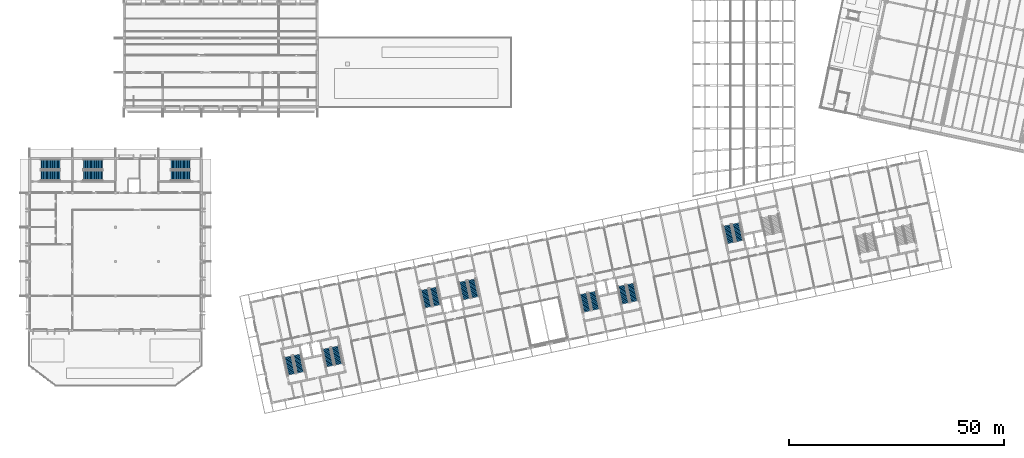
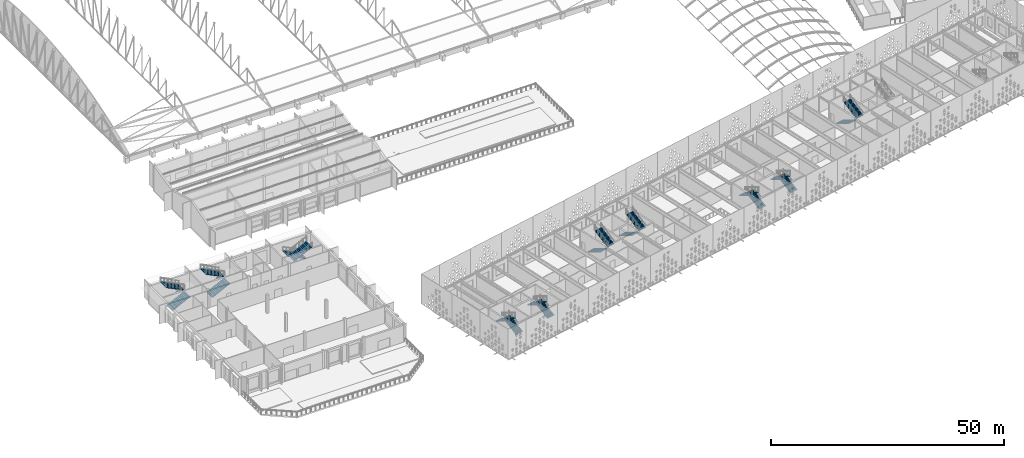
# One storey, part 131 of 196: 20 stair flights, 10 elements without a shape of their own.
"""IFC4 building model written with IfcOpenShell, lengths in metres."""

from ifc_helpers import new_model, si_unit, direction, frame, origin, place, context, subcontext, project, spatial, polyline, outline, extrude, material, type_object, element, aggregate, save


model = new_model("IFC4")

# Units and contexts
model_context = context("Model", 3, precision=1e-05, world=origin(), true_north=direction((0.0, 1.0)))
body_context = subcontext(model_context, "Body", "Model", "MODEL_VIEW")
ifc_project = project(units=[si_unit("LENGTHUNIT", "METRE"), si_unit("AREAUNIT", "SQUARE_METRE"), si_unit("VOLUMEUNIT", "CUBIC_METRE"), si_unit("PLANEANGLEUNIT", "RADIAN"), si_unit("MASSUNIT", "GRAM", prefix="KILO")], contexts=[model_context])

# Site, building, storey
site_placement = place(None, origin())
site = spatial("IfcSite", under=ifc_project, at=site_placement, CompositionType="ELEMENT")
building_placement = place(site_placement, origin())
building = spatial("IfcBuilding", under=site, at=building_placement, Name="Okhra Congress Centre", CompositionType="ELEMENT")
storey_placement = place(building_placement, frame((0.0, 0.0, 12.0)))
storey = spatial("IfcBuildingStorey", under=building, at=storey_placement, Name="L02", CompositionType="ELEMENT", Elevation=12.0)

# Stair, stair flights
ifc_material = material(Name="Concrete C30/37", Category="concrete")
stair_type_1 = type_object("IfcStairType", Name="Escape stair 1900 wide, 30 risers of 160.0", PredefinedType="HALF_TURN_STAIR", material=ifc_material)
stair_1_placement = place(storey_placement, origin())
stair_1 = element("IfcStair", 1, at=stair_1_placement, inside=storey, type_object=stair_type_1, Name="L02 Escape stair 1A", PredefinedType="HALF_TURN_STAIR")
stair_flight_type_1 = type_object("IfcStairFlightType", Name="Stair flight 1900 wide", PredefinedType="STRAIGHT", material=ifc_material)
stair_flight_1_placement = place(storey_placement, frame((69.095458984375, 34.227294921875, 0.0), z_axis=(0.0, 0.0, 1.0), x_axis=(-0.207911690818, 0.978147600734, 0.0)))
stair_flight_1 = element("IfcStairFlight", 2, at=stair_flight_1_placement, type_object=stair_flight_type_1, Name="BS1A flight 1", NumberOfRisers=15, NumberOfTreads=14, PredefinedType="STRAIGHT", RiserHeight=0.16, TreadLength=0.3, context=body_context, shape_type="SweptSolid", body=[
    extrude(outline(polyline([(0.0, 0.0), (0.0, 0.159912109375), (0.300048828125, 0.159912109375), (0.300048828125, 0.320068359375), (0.60009765625, 0.320068359375), (0.60009765625, 0.47998046875), (0.89990234375, 0.47998046875), (0.89990234375, 0.639892578125), (1.199951171875, 0.639892578125), (1.199951171875, 0.800048828125), (1.5, 0.800048828125), (1.5, 0.9599609375), (1.800048828125, 0.9599609375), (1.800048828125, 1.1201171875), (2.10009765625, 1.1201171875), (2.10009765625, 1.280029296875), (2.39990234375, 1.280029296875), (2.39990234375, 1.43994140625), (2.699951171875, 1.43994140625), (2.699951171875, 1.60009765625), (3.0, 1.60009765625), (3.0, 1.760009765625), (3.300048828125, 1.760009765625), (3.300048828125, 1.919921875), (3.60009765625, 1.919921875), (3.60009765625, 2.080078125), (3.89990234375, 2.080078125), (3.89990234375, 2.239990234375), (4.199951171875, 2.239990234375), (4.199951171875, 2.39990234375), (4.199951171875, 2.103759765625), (0.25537109375, 0.0), (0.0, 0.0)])), frame((0.0, 0.949951171875, 0.0), z_axis=(0.0, -1.0, 0.0), x_axis=(1.0, 0.0, 0.0)), (0.0, 0.0, 1.0), 1.89990234375),
])
stair_flight_2_placement = place(storey_placement, frame((66.16796875, 37.898681640625, 2.39990234375), z_axis=(0.0, 0.0, 1.0), x_axis=(0.207911690818, -0.978147600734, 0.0)))
stair_flight_2 = element("IfcStairFlight", 3, at=stair_flight_2_placement, type_object=stair_flight_type_1, Name="BS1A flight 2", NumberOfRisers=15, NumberOfTreads=14, PredefinedType="STRAIGHT", RiserHeight=0.16, TreadLength=0.3, context=body_context, shape_type="SweptSolid", body=[
    extrude(outline(polyline([(0.0, 0.0), (0.0, 0.159912109375), (0.300048828125, 0.159912109375), (0.300048828125, 0.320068359375), (0.60009765625, 0.320068359375), (0.60009765625, 0.47998046875), (0.89990234375, 0.47998046875), (0.89990234375, 0.639892578125), (1.199951171875, 0.639892578125), (1.199951171875, 0.800048828125), (1.5, 0.800048828125), (1.5, 0.9599609375), (1.800048828125, 0.9599609375), (1.800048828125, 1.1201171875), (2.10009765625, 1.1201171875), (2.10009765625, 1.280029296875), (2.39990234375, 1.280029296875), (2.39990234375, 1.43994140625), (2.699951171875, 1.43994140625), (2.699951171875, 1.60009765625), (3.0, 1.60009765625), (3.0, 1.760009765625), (3.300048828125, 1.760009765625), (3.300048828125, 1.919921875), (3.60009765625, 1.919921875), (3.60009765625, 2.080078125), (3.89990234375, 2.080078125), (3.89990234375, 2.239990234375), (4.199951171875, 2.239990234375), (4.199951171875, 2.39990234375), (4.199951171875, 2.103759765625), (0.25537109375, 0.0), (0.0, 0.0)])), frame((0.0, 0.949951171875, 0.0), z_axis=(0.0, -1.0, 0.0), x_axis=(1.0, 0.0, 0.0)), (0.0, 0.0, 1.0), 1.89990234375),
])
aggregate(stair_1, [stair_flight_1, stair_flight_2])

stair_2_placement = place(storey_placement, origin())
stair_2 = element("IfcStair", 4, at=stair_2_placement, inside=storey, type_object=stair_type_1, Name="L02 Escape stair 1B", PredefinedType="HALF_TURN_STAIR")
stair_flight_3_placement = place(storey_placement, frame((77.99658203125, 36.119140625, 0.0), z_axis=(0.0, 0.0, 1.0), x_axis=(-0.207911690818, 0.978147600734, 0.0)))
stair_flight_3 = element("IfcStairFlight", 5, at=stair_flight_3_placement, type_object=stair_flight_type_1, Name="BS1B flight 1", NumberOfRisers=15, NumberOfTreads=14, PredefinedType="STRAIGHT", RiserHeight=0.16, TreadLength=0.3, context=body_context, shape_type="SweptSolid", body=[
    extrude(outline(polyline([(0.0, 0.0), (0.0, 0.159912109375), (0.300048828125, 0.159912109375), (0.300048828125, 0.320068359375), (0.60009765625, 0.320068359375), (0.60009765625, 0.47998046875), (0.89990234375, 0.47998046875), (0.89990234375, 0.639892578125), (1.199951171875, 0.639892578125), (1.199951171875, 0.800048828125), (1.5, 0.800048828125), (1.5, 0.9599609375), (1.800048828125, 0.9599609375), (1.800048828125, 1.1201171875), (2.10009765625, 1.1201171875), (2.10009765625, 1.280029296875), (2.39990234375, 1.280029296875), (2.39990234375, 1.43994140625), (2.699951171875, 1.43994140625), (2.699951171875, 1.60009765625), (3.0, 1.60009765625), (3.0, 1.760009765625), (3.300048828125, 1.760009765625), (3.300048828125, 1.919921875), (3.60009765625, 1.919921875), (3.60009765625, 2.080078125), (3.89990234375, 2.080078125), (3.89990234375, 2.239990234375), (4.199951171875, 2.239990234375), (4.199951171875, 2.39990234375), (4.199951171875, 2.103759765625), (0.25537109375, 0.0), (0.0, 0.0)])), frame((0.0, 0.949951171875, 0.0), z_axis=(0.0, -1.0, 0.0), x_axis=(1.0, 0.0, 0.0)), (0.0, 0.0, 1.0), 1.89990234375),
])
stair_flight_4_placement = place(storey_placement, frame((75.069091796875, 39.790771484375, 2.39990234375), z_axis=(0.0, 0.0, 1.0), x_axis=(0.207911690818, -0.978147600734, 0.0)))
stair_flight_4 = element("IfcStairFlight", 6, at=stair_flight_4_placement, type_object=stair_flight_type_1, Name="BS1B flight 2", NumberOfRisers=15, NumberOfTreads=14, PredefinedType="STRAIGHT", RiserHeight=0.16, TreadLength=0.3, context=body_context, shape_type="SweptSolid", body=[
    extrude(outline(polyline([(0.0, 0.0), (0.0, 0.159912109375), (0.300048828125, 0.159912109375), (0.300048828125, 0.320068359375), (0.60009765625, 0.320068359375), (0.60009765625, 0.47998046875), (0.89990234375, 0.47998046875), (0.89990234375, 0.639892578125), (1.199951171875, 0.639892578125), (1.199951171875, 0.800048828125), (1.5, 0.800048828125), (1.5, 0.9599609375), (1.800048828125, 0.9599609375), (1.800048828125, 1.1201171875), (2.10009765625, 1.1201171875), (2.10009765625, 1.280029296875), (2.39990234375, 1.280029296875), (2.39990234375, 1.43994140625), (2.699951171875, 1.43994140625), (2.699951171875, 1.60009765625), (3.0, 1.60009765625), (3.0, 1.760009765625), (3.300048828125, 1.760009765625), (3.300048828125, 1.919921875), (3.60009765625, 1.919921875), (3.60009765625, 2.080078125), (3.89990234375, 2.080078125), (3.89990234375, 2.239990234375), (4.199951171875, 2.239990234375), (4.199951171875, 2.39990234375), (4.199951171875, 2.103759765625), (0.25537109375, 0.0), (0.0, 0.0)])), frame((0.0, 0.949951171875, 0.0), z_axis=(0.0, -1.0, 0.0), x_axis=(1.0, 0.0, 0.0)), (0.0, 0.0, 1.0), 1.89990234375),
])
aggregate(stair_2, [stair_flight_3, stair_flight_4])

stair_3_placement = place(storey_placement, origin())
stair_3 = element("IfcStair", 7, at=stair_3_placement, inside=storey, type_object=stair_type_1, Name="L02 Escape stair 2A", PredefinedType="HALF_TURN_STAIR")
stair_flight_5_placement = place(storey_placement, frame((97.920166015625, 53.4912109375, 0.0), z_axis=(0.0, 0.0, 1.0), x_axis=(0.207911690818, -0.978147600734, 0.0)))
stair_flight_5 = element("IfcStairFlight", 8, at=stair_flight_5_placement, type_object=stair_flight_type_1, Name="BS2A flight 1", NumberOfRisers=15, NumberOfTreads=14, PredefinedType="STRAIGHT", RiserHeight=0.16, TreadLength=0.3, context=body_context, shape_type="SweptSolid", body=[
    extrude(outline(polyline([(0.0, 0.0), (0.0, 0.159912109375), (0.300048828125, 0.159912109375), (0.300048828125, 0.320068359375), (0.60009765625, 0.320068359375), (0.60009765625, 0.47998046875), (0.89990234375, 0.47998046875), (0.89990234375, 0.639892578125), (1.199951171875, 0.639892578125), (1.199951171875, 0.800048828125), (1.5, 0.800048828125), (1.5, 0.9599609375), (1.800048828125, 0.9599609375), (1.800048828125, 1.1201171875), (2.10009765625, 1.1201171875), (2.10009765625, 1.280029296875), (2.39990234375, 1.280029296875), (2.39990234375, 1.43994140625), (2.699951171875, 1.43994140625), (2.699951171875, 1.60009765625), (3.0, 1.60009765625), (3.0, 1.760009765625), (3.300048828125, 1.760009765625), (3.300048828125, 1.919921875), (3.60009765625, 1.919921875), (3.60009765625, 2.080078125), (3.89990234375, 2.080078125), (3.89990234375, 2.239990234375), (4.199951171875, 2.239990234375), (4.199951171875, 2.39990234375), (4.199951171875, 2.103759765625), (0.25537109375, 0.0), (0.0, 0.0)])), frame((0.0, 0.949951171875, 0.0), z_axis=(0.0, -1.0, 0.0), x_axis=(1.0, 0.0, 0.0)), (0.0, 0.0, 1.0), 1.89990234375),
])
stair_flight_6_placement = place(storey_placement, frame((100.847412109375, 49.819580078125, 2.39990234375), z_axis=(0.0, 0.0, 1.0), x_axis=(-0.207911690818, 0.978147600734, 0.0)))
stair_flight_6 = element("IfcStairFlight", 9, at=stair_flight_6_placement, type_object=stair_flight_type_1, Name="BS2A flight 2", NumberOfRisers=15, NumberOfTreads=14, PredefinedType="STRAIGHT", RiserHeight=0.16, TreadLength=0.3, context=body_context, shape_type="SweptSolid", body=[
    extrude(outline(polyline([(0.0, 0.0), (0.0, 0.159912109375), (0.300048828125, 0.159912109375), (0.300048828125, 0.320068359375), (0.60009765625, 0.320068359375), (0.60009765625, 0.47998046875), (0.89990234375, 0.47998046875), (0.89990234375, 0.639892578125), (1.199951171875, 0.639892578125), (1.199951171875, 0.800048828125), (1.5, 0.800048828125), (1.5, 0.9599609375), (1.800048828125, 0.9599609375), (1.800048828125, 1.1201171875), (2.10009765625, 1.1201171875), (2.10009765625, 1.280029296875), (2.39990234375, 1.280029296875), (2.39990234375, 1.43994140625), (2.699951171875, 1.43994140625), (2.699951171875, 1.60009765625), (3.0, 1.60009765625), (3.0, 1.760009765625), (3.300048828125, 1.760009765625), (3.300048828125, 1.919921875), (3.60009765625, 1.919921875), (3.60009765625, 2.080078125), (3.89990234375, 2.080078125), (3.89990234375, 2.239990234375), (4.199951171875, 2.239990234375), (4.199951171875, 2.39990234375), (4.199951171875, 2.103759765625), (0.25537109375, 0.0), (0.0, 0.0)])), frame((0.0, 0.949951171875, 0.0), z_axis=(0.0, -1.0, 0.0), x_axis=(1.0, 0.0, 0.0)), (0.0, 0.0, 1.0), 1.89990234375),
])
aggregate(stair_3, [stair_flight_5, stair_flight_6])

stair_4_placement = place(storey_placement, origin())
stair_4 = element("IfcStair", 10, at=stair_4_placement, inside=storey, type_object=stair_type_1, Name="L02 Escape stair 2B", PredefinedType="HALF_TURN_STAIR")
stair_flight_7_placement = place(storey_placement, frame((106.8212890625, 55.383056640625, 0.0), z_axis=(0.0, 0.0, 1.0), x_axis=(0.207911690818, -0.978147600734, 0.0)))
stair_flight_7 = element("IfcStairFlight", 11, at=stair_flight_7_placement, type_object=stair_flight_type_1, Name="BS2B flight 1", NumberOfRisers=15, NumberOfTreads=14, PredefinedType="STRAIGHT", RiserHeight=0.16, TreadLength=0.3, context=body_context, shape_type="SweptSolid", body=[
    extrude(outline(polyline([(0.0, 0.0), (0.0, 0.159912109375), (0.300048828125, 0.159912109375), (0.300048828125, 0.320068359375), (0.60009765625, 0.320068359375), (0.60009765625, 0.47998046875), (0.89990234375, 0.47998046875), (0.89990234375, 0.639892578125), (1.199951171875, 0.639892578125), (1.199951171875, 0.800048828125), (1.5, 0.800048828125), (1.5, 0.9599609375), (1.800048828125, 0.9599609375), (1.800048828125, 1.1201171875), (2.10009765625, 1.1201171875), (2.10009765625, 1.280029296875), (2.39990234375, 1.280029296875), (2.39990234375, 1.43994140625), (2.699951171875, 1.43994140625), (2.699951171875, 1.60009765625), (3.0, 1.60009765625), (3.0, 1.760009765625), (3.300048828125, 1.760009765625), (3.300048828125, 1.919921875), (3.60009765625, 1.919921875), (3.60009765625, 2.080078125), (3.89990234375, 2.080078125), (3.89990234375, 2.239990234375), (4.199951171875, 2.239990234375), (4.199951171875, 2.39990234375), (4.199951171875, 2.103759765625), (0.25537109375, 0.0), (0.0, 0.0)])), frame((0.0, 0.949951171875, 0.0), z_axis=(0.0, -1.0, 0.0), x_axis=(1.0, 0.0, 0.0)), (0.0, 0.0, 1.0), 1.89990234375),
])
stair_flight_8_placement = place(storey_placement, frame((109.74853515625, 51.71142578125, 2.39990234375), z_axis=(0.0, 0.0, 1.0), x_axis=(-0.207911690818, 0.978147600734, 0.0)))
stair_flight_8 = element("IfcStairFlight", 12, at=stair_flight_8_placement, type_object=stair_flight_type_1, Name="BS2B flight 2", NumberOfRisers=15, NumberOfTreads=14, PredefinedType="STRAIGHT", RiserHeight=0.16, TreadLength=0.3, context=body_context, shape_type="SweptSolid", body=[
    extrude(outline(polyline([(0.0, 0.0), (0.0, 0.159912109375), (0.300048828125, 0.159912109375), (0.300048828125, 0.320068359375), (0.60009765625, 0.320068359375), (0.60009765625, 0.47998046875), (0.89990234375, 0.47998046875), (0.89990234375, 0.639892578125), (1.199951171875, 0.639892578125), (1.199951171875, 0.800048828125), (1.5, 0.800048828125), (1.5, 0.9599609375), (1.800048828125, 0.9599609375), (1.800048828125, 1.1201171875), (2.10009765625, 1.1201171875), (2.10009765625, 1.280029296875), (2.39990234375, 1.280029296875), (2.39990234375, 1.43994140625), (2.699951171875, 1.43994140625), (2.699951171875, 1.60009765625), (3.0, 1.60009765625), (3.0, 1.760009765625), (3.300048828125, 1.760009765625), (3.300048828125, 1.919921875), (3.60009765625, 1.919921875), (3.60009765625, 2.080078125), (3.89990234375, 2.080078125), (3.89990234375, 2.239990234375), (4.199951171875, 2.239990234375), (4.199951171875, 2.39990234375), (4.199951171875, 2.103759765625), (0.25537109375, 0.0), (0.0, 0.0)])), frame((0.0, 0.949951171875, 0.0), z_axis=(0.0, -1.0, 0.0), x_axis=(1.0, 0.0, 0.0)), (0.0, 0.0, 1.0), 1.89990234375),
])
aggregate(stair_4, [stair_flight_7, stair_flight_8])

stair_5_placement = place(storey_placement, origin())
stair_5 = element("IfcStair", 13, at=stair_5_placement, inside=storey, type_object=stair_type_1, Name="L02 Escape stair 3A", PredefinedType="HALF_TURN_STAIR")
stair_flight_9_placement = place(storey_placement, frame((137.859130859375, 48.84326171875, 0.0), z_axis=(0.0, 0.0, 1.0), x_axis=(-0.207911690818, 0.978147600734, 0.0)))
stair_flight_9 = element("IfcStairFlight", 14, at=stair_flight_9_placement, type_object=stair_flight_type_1, Name="BS3A flight 1", NumberOfRisers=15, NumberOfTreads=14, PredefinedType="STRAIGHT", RiserHeight=0.16, TreadLength=0.3, context=body_context, shape_type="SweptSolid", body=[
    extrude(outline(polyline([(0.0, 0.0), (0.0, 0.159912109375), (0.300048828125, 0.159912109375), (0.300048828125, 0.320068359375), (0.60009765625, 0.320068359375), (0.60009765625, 0.47998046875), (0.89990234375, 0.47998046875), (0.89990234375, 0.639892578125), (1.199951171875, 0.639892578125), (1.199951171875, 0.800048828125), (1.5, 0.800048828125), (1.5, 0.9599609375), (1.800048828125, 0.9599609375), (1.800048828125, 1.1201171875), (2.10009765625, 1.1201171875), (2.10009765625, 1.280029296875), (2.39990234375, 1.280029296875), (2.39990234375, 1.43994140625), (2.699951171875, 1.43994140625), (2.699951171875, 1.60009765625), (3.0, 1.60009765625), (3.0, 1.760009765625), (3.300048828125, 1.760009765625), (3.300048828125, 1.919921875), (3.60009765625, 1.919921875), (3.60009765625, 2.080078125), (3.89990234375, 2.080078125), (3.89990234375, 2.239990234375), (4.199951171875, 2.239990234375), (4.199951171875, 2.39990234375), (4.199951171875, 2.103759765625), (0.25537109375, 0.0), (0.0, 0.0)])), frame((0.0, 0.949951171875, 0.0), z_axis=(0.0, -1.0, 0.0), x_axis=(1.0, 0.0, 0.0)), (0.0, 0.0, 1.0), 1.89990234375),
])
stair_flight_10_placement = place(storey_placement, frame((134.931884765625, 52.514892578125, 2.39990234375), z_axis=(0.0, 0.0, 1.0), x_axis=(0.207911690818, -0.978147600734, 0.0)))
stair_flight_10 = element("IfcStairFlight", 15, at=stair_flight_10_placement, type_object=stair_flight_type_1, Name="BS3A flight 2", NumberOfRisers=15, NumberOfTreads=14, PredefinedType="STRAIGHT", RiserHeight=0.16, TreadLength=0.3, context=body_context, shape_type="SweptSolid", body=[
    extrude(outline(polyline([(0.0, 0.0), (0.0, 0.159912109375), (0.300048828125, 0.159912109375), (0.300048828125, 0.320068359375), (0.60009765625, 0.320068359375), (0.60009765625, 0.47998046875), (0.89990234375, 0.47998046875), (0.89990234375, 0.639892578125), (1.199951171875, 0.639892578125), (1.199951171875, 0.800048828125), (1.5, 0.800048828125), (1.5, 0.9599609375), (1.800048828125, 0.9599609375), (1.800048828125, 1.1201171875), (2.10009765625, 1.1201171875), (2.10009765625, 1.280029296875), (2.39990234375, 1.280029296875), (2.39990234375, 1.43994140625), (2.699951171875, 1.43994140625), (2.699951171875, 1.60009765625), (3.0, 1.60009765625), (3.0, 1.760009765625), (3.300048828125, 1.760009765625), (3.300048828125, 1.919921875), (3.60009765625, 1.919921875), (3.60009765625, 2.080078125), (3.89990234375, 2.080078125), (3.89990234375, 2.239990234375), (4.199951171875, 2.239990234375), (4.199951171875, 2.39990234375), (4.199951171875, 2.103759765625), (0.25537109375, 0.0), (0.0, 0.0)])), frame((0.0, 0.949951171875, 0.0), z_axis=(0.0, -1.0, 0.0), x_axis=(1.0, 0.0, 0.0)), (0.0, 0.0, 1.0), 1.89990234375),
])
aggregate(stair_5, [stair_flight_9, stair_flight_10])

stair_6_placement = place(storey_placement, origin())
stair_6 = element("IfcStair", 16, at=stair_6_placement, inside=storey, type_object=stair_type_1, Name="L02 Escape stair 3B", PredefinedType="HALF_TURN_STAIR")
stair_flight_11_placement = place(storey_placement, frame((146.76025390625, 50.7353515625, 0.0), z_axis=(0.0, 0.0, 1.0), x_axis=(-0.207911690818, 0.978147600734, 0.0)))
stair_flight_11 = element("IfcStairFlight", 17, at=stair_flight_11_placement, type_object=stair_flight_type_1, Name="BS3B flight 1", NumberOfRisers=15, NumberOfTreads=14, PredefinedType="STRAIGHT", RiserHeight=0.16, TreadLength=0.3, context=body_context, shape_type="SweptSolid", body=[
    extrude(outline(polyline([(0.0, 0.0), (0.0, 0.159912109375), (0.300048828125, 0.159912109375), (0.300048828125, 0.320068359375), (0.60009765625, 0.320068359375), (0.60009765625, 0.47998046875), (0.89990234375, 0.47998046875), (0.89990234375, 0.639892578125), (1.199951171875, 0.639892578125), (1.199951171875, 0.800048828125), (1.5, 0.800048828125), (1.5, 0.9599609375), (1.800048828125, 0.9599609375), (1.800048828125, 1.1201171875), (2.10009765625, 1.1201171875), (2.10009765625, 1.280029296875), (2.39990234375, 1.280029296875), (2.39990234375, 1.43994140625), (2.699951171875, 1.43994140625), (2.699951171875, 1.60009765625), (3.0, 1.60009765625), (3.0, 1.760009765625), (3.300048828125, 1.760009765625), (3.300048828125, 1.919921875), (3.60009765625, 1.919921875), (3.60009765625, 2.080078125), (3.89990234375, 2.080078125), (3.89990234375, 2.239990234375), (4.199951171875, 2.239990234375), (4.199951171875, 2.39990234375), (4.199951171875, 2.103759765625), (0.25537109375, 0.0), (0.0, 0.0)])), frame((0.0, 0.949951171875, 0.0), z_axis=(0.0, -1.0, 0.0), x_axis=(1.0, 0.0, 0.0)), (0.0, 0.0, 1.0), 1.89990234375),
])
stair_flight_12_placement = place(storey_placement, frame((143.8330078125, 54.406982421875, 2.39990234375), z_axis=(0.0, 0.0, 1.0), x_axis=(0.207911690818, -0.978147600734, 0.0)))
stair_flight_12 = element("IfcStairFlight", 18, at=stair_flight_12_placement, type_object=stair_flight_type_1, Name="BS3B flight 2", NumberOfRisers=15, NumberOfTreads=14, PredefinedType="STRAIGHT", RiserHeight=0.16, TreadLength=0.3, context=body_context, shape_type="SweptSolid", body=[
    extrude(outline(polyline([(0.0, 0.0), (0.0, 0.159912109375), (0.300048828125, 0.159912109375), (0.300048828125, 0.320068359375), (0.60009765625, 0.320068359375), (0.60009765625, 0.47998046875), (0.89990234375, 0.47998046875), (0.89990234375, 0.639892578125), (1.199951171875, 0.639892578125), (1.199951171875, 0.800048828125), (1.5, 0.800048828125), (1.5, 0.9599609375), (1.800048828125, 0.9599609375), (1.800048828125, 1.1201171875), (2.10009765625, 1.1201171875), (2.10009765625, 1.280029296875), (2.39990234375, 1.280029296875), (2.39990234375, 1.43994140625), (2.699951171875, 1.43994140625), (2.699951171875, 1.60009765625), (3.0, 1.60009765625), (3.0, 1.760009765625), (3.300048828125, 1.760009765625), (3.300048828125, 1.919921875), (3.60009765625, 1.919921875), (3.60009765625, 2.080078125), (3.89990234375, 2.080078125), (3.89990234375, 2.239990234375), (4.199951171875, 2.239990234375), (4.199951171875, 2.39990234375), (4.199951171875, 2.103759765625), (0.25537109375, 0.0), (0.0, 0.0)])), frame((0.0, 0.949951171875, 0.0), z_axis=(0.0, -1.0, 0.0), x_axis=(1.0, 0.0, 0.0)), (0.0, 0.0, 1.0), 1.89990234375),
])
aggregate(stair_6, [stair_flight_11, stair_flight_12])

stair_7_placement = place(storey_placement, origin())
stair_7 = element("IfcStair", 19, at=stair_7_placement, inside=storey, type_object=stair_type_1, Name="L02 Escape stair 4A", PredefinedType="HALF_TURN_STAIR")
stair_flight_13_placement = place(storey_placement, frame((168.3466796875, 68.460693359375, 0.0), z_axis=(0.0, 0.0, 1.0), x_axis=(0.207911690818, -0.978147600734, 0.0)))
stair_flight_13 = element("IfcStairFlight", 20, at=stair_flight_13_placement, type_object=stair_flight_type_1, Name="BS4A flight 1", NumberOfRisers=15, NumberOfTreads=14, PredefinedType="STRAIGHT", RiserHeight=0.16, TreadLength=0.3, context=body_context, shape_type="SweptSolid", body=[
    extrude(outline(polyline([(0.0, 0.0), (0.0, 0.159912109375), (0.300048828125, 0.159912109375), (0.300048828125, 0.320068359375), (0.60009765625, 0.320068359375), (0.60009765625, 0.47998046875), (0.89990234375, 0.47998046875), (0.89990234375, 0.639892578125), (1.199951171875, 0.639892578125), (1.199951171875, 0.800048828125), (1.5, 0.800048828125), (1.5, 0.9599609375), (1.800048828125, 0.9599609375), (1.800048828125, 1.1201171875), (2.10009765625, 1.1201171875), (2.10009765625, 1.280029296875), (2.39990234375, 1.280029296875), (2.39990234375, 1.43994140625), (2.699951171875, 1.43994140625), (2.699951171875, 1.60009765625), (3.0, 1.60009765625), (3.0, 1.760009765625), (3.300048828125, 1.760009765625), (3.300048828125, 1.919921875), (3.60009765625, 1.919921875), (3.60009765625, 2.080078125), (3.89990234375, 2.080078125), (3.89990234375, 2.239990234375), (4.199951171875, 2.239990234375), (4.199951171875, 2.39990234375), (4.199951171875, 2.103759765625), (0.25537109375, 0.0), (0.0, 0.0)])), frame((0.0, 0.949951171875, 0.0), z_axis=(0.0, -1.0, 0.0), x_axis=(1.0, 0.0, 0.0)), (0.0, 0.0, 1.0), 1.89990234375),
])
stair_flight_14_placement = place(storey_placement, frame((171.27392578125, 64.7890625, 2.39990234375), z_axis=(0.0, 0.0, 1.0), x_axis=(-0.207911690818, 0.978147600734, 0.0)))
stair_flight_14 = element("IfcStairFlight", 21, at=stair_flight_14_placement, type_object=stair_flight_type_1, Name="BS4A flight 2", NumberOfRisers=15, NumberOfTreads=14, PredefinedType="STRAIGHT", RiserHeight=0.16, TreadLength=0.3, context=body_context, shape_type="SweptSolid", body=[
    extrude(outline(polyline([(0.0, 0.0), (0.0, 0.159912109375), (0.300048828125, 0.159912109375), (0.300048828125, 0.320068359375), (0.60009765625, 0.320068359375), (0.60009765625, 0.47998046875), (0.89990234375, 0.47998046875), (0.89990234375, 0.639892578125), (1.199951171875, 0.639892578125), (1.199951171875, 0.800048828125), (1.5, 0.800048828125), (1.5, 0.9599609375), (1.800048828125, 0.9599609375), (1.800048828125, 1.1201171875), (2.10009765625, 1.1201171875), (2.10009765625, 1.280029296875), (2.39990234375, 1.280029296875), (2.39990234375, 1.43994140625), (2.699951171875, 1.43994140625), (2.699951171875, 1.60009765625), (3.0, 1.60009765625), (3.0, 1.760009765625), (3.300048828125, 1.760009765625), (3.300048828125, 1.919921875), (3.60009765625, 1.919921875), (3.60009765625, 2.080078125), (3.89990234375, 2.080078125), (3.89990234375, 2.239990234375), (4.199951171875, 2.239990234375), (4.199951171875, 2.39990234375), (4.199951171875, 2.103759765625), (0.25537109375, 0.0), (0.0, 0.0)])), frame((0.0, 0.949951171875, 0.0), z_axis=(0.0, -1.0, 0.0), x_axis=(1.0, 0.0, 0.0)), (0.0, 0.0, 1.0), 1.89990234375),
])
aggregate(stair_7, [stair_flight_13, stair_flight_14])

stair_type_2 = type_object("IfcStairType", Name="Escape stair 2400 wide, 30 risers of 160.0", PredefinedType="HALF_TURN_STAIR", material=ifc_material)
stair_8_placement = place(storey_placement, origin())
stair_8 = element("IfcStair", 22, at=stair_8_placement, inside=storey, type_object=stair_type_2, Name="L02 Stair R1", PredefinedType="HALF_TURN_STAIR")
stair_flight_type_2 = type_object("IfcStairFlightType", Name="Stair flight 2400 wide", PredefinedType="STRAIGHT", material=ifc_material)
stair_flight_15_placement = place(storey_placement, frame((8.625, 80.02490234375, 0.0), z_axis=(0.0, 0.0, 1.0), x_axis=(1.0, 0.0, 0.0)))
stair_flight_15 = element("IfcStairFlight", 23, at=stair_flight_15_placement, type_object=stair_flight_type_2, Name="R1 flight 1", NumberOfRisers=15, NumberOfTreads=14, PredefinedType="STRAIGHT", RiserHeight=0.16, TreadLength=0.32, context=body_context, shape_type="SweptSolid", body=[
    extrude(outline(polyline([(0.0, 0.0), (0.0, 0.159912109375), (0.320068359375, 0.159912109375), (0.320068359375, 0.320068359375), (0.639892578125, 0.320068359375), (0.639892578125, 0.47998046875), (0.9599609375, 0.47998046875), (0.9599609375, 0.639892578125), (1.280029296875, 0.639892578125), (1.280029296875, 0.800048828125), (1.60009765625, 0.800048828125), (1.60009765625, 0.9599609375), (1.919921875, 0.9599609375), (1.919921875, 1.1201171875), (2.239990234375, 1.1201171875), (2.239990234375, 1.280029296875), (2.56005859375, 1.280029296875), (2.56005859375, 1.43994140625), (2.8798828125, 1.43994140625), (2.8798828125, 1.60009765625), (3.199951171875, 1.60009765625), (3.199951171875, 1.760009765625), (3.52001953125, 1.760009765625), (3.52001953125, 1.919921875), (3.840087890625, 1.919921875), (3.840087890625, 2.080078125), (4.159912109375, 2.080078125), (4.159912109375, 2.239990234375), (4.47998046875, 2.239990234375), (4.47998046875, 2.39990234375), (4.47998046875, 2.072509765625), (0.335205078125, 0.0), (0.0, 0.0)])), frame((0.0, 1.199951171875, 0.0), z_axis=(0.0, -1.0, 0.0), x_axis=(1.0, 0.0, 0.0)), (0.0, 0.0, 1.0), 2.39990234375),
])
stair_flight_16_placement = place(storey_placement, frame((13.10498046875, 82.574951171875, 2.39990234375), z_axis=(0.0, 0.0, 1.0), x_axis=(-1.0, 0.0, 0.0)))
stair_flight_16 = element("IfcStairFlight", 24, at=stair_flight_16_placement, type_object=stair_flight_type_2, Name="R1 flight 2", NumberOfRisers=15, NumberOfTreads=14, PredefinedType="STRAIGHT", RiserHeight=0.16, TreadLength=0.32, context=body_context, shape_type="SweptSolid", body=[
    extrude(outline(polyline([(0.0, 0.0), (0.0, 0.159912109375), (0.320068359375, 0.159912109375), (0.320068359375, 0.320068359375), (0.639892578125, 0.320068359375), (0.639892578125, 0.47998046875), (0.9599609375, 0.47998046875), (0.9599609375, 0.639892578125), (1.280029296875, 0.639892578125), (1.280029296875, 0.800048828125), (1.60009765625, 0.800048828125), (1.60009765625, 0.9599609375), (1.919921875, 0.9599609375), (1.919921875, 1.1201171875), (2.239990234375, 1.1201171875), (2.239990234375, 1.280029296875), (2.56005859375, 1.280029296875), (2.56005859375, 1.43994140625), (2.8798828125, 1.43994140625), (2.8798828125, 1.60009765625), (3.199951171875, 1.60009765625), (3.199951171875, 1.760009765625), (3.52001953125, 1.760009765625), (3.52001953125, 1.919921875), (3.840087890625, 1.919921875), (3.840087890625, 2.080078125), (4.159912109375, 2.080078125), (4.159912109375, 2.239990234375), (4.47998046875, 2.239990234375), (4.47998046875, 2.39990234375), (4.47998046875, 2.072509765625), (0.335205078125, 0.0), (0.0, 0.0)])), frame((0.0, 1.199951171875, 0.0), z_axis=(0.0, -1.0, 0.0), x_axis=(1.0, 0.0, 0.0)), (0.0, 0.0, 1.0), 2.39990234375),
])
aggregate(stair_8, [stair_flight_15, stair_flight_16])

stair_9_placement = place(storey_placement, origin())
stair_9 = element("IfcStair", 25, at=stair_9_placement, inside=storey, type_object=stair_type_2, Name="L02 Stair R3", PredefinedType="HALF_TURN_STAIR")
stair_flight_17_placement = place(storey_placement, frame((18.550048828125, 80.02490234375, 0.0), z_axis=(0.0, 0.0, 1.0), x_axis=(1.0, 0.0, 0.0)))
stair_flight_17 = element("IfcStairFlight", 26, at=stair_flight_17_placement, type_object=stair_flight_type_2, Name="R3 flight 1", NumberOfRisers=15, NumberOfTreads=14, PredefinedType="STRAIGHT", RiserHeight=0.16, TreadLength=0.32, context=body_context, shape_type="SweptSolid", body=[
    extrude(outline(polyline([(0.0, 0.0), (0.0, 0.159912109375), (0.320068359375, 0.159912109375), (0.320068359375, 0.320068359375), (0.639892578125, 0.320068359375), (0.639892578125, 0.47998046875), (0.9599609375, 0.47998046875), (0.9599609375, 0.639892578125), (1.280029296875, 0.639892578125), (1.280029296875, 0.800048828125), (1.60009765625, 0.800048828125), (1.60009765625, 0.9599609375), (1.919921875, 0.9599609375), (1.919921875, 1.1201171875), (2.239990234375, 1.1201171875), (2.239990234375, 1.280029296875), (2.56005859375, 1.280029296875), (2.56005859375, 1.43994140625), (2.8798828125, 1.43994140625), (2.8798828125, 1.60009765625), (3.199951171875, 1.60009765625), (3.199951171875, 1.760009765625), (3.52001953125, 1.760009765625), (3.52001953125, 1.919921875), (3.840087890625, 1.919921875), (3.840087890625, 2.080078125), (4.159912109375, 2.080078125), (4.159912109375, 2.239990234375), (4.47998046875, 2.239990234375), (4.47998046875, 2.39990234375), (4.47998046875, 2.072509765625), (0.335205078125, 0.0), (0.0, 0.0)])), frame((0.0, 1.199951171875, 0.0), z_axis=(0.0, -1.0, 0.0), x_axis=(1.0, 0.0, 0.0)), (0.0, 0.0, 1.0), 2.39990234375),
])
stair_flight_18_placement = place(storey_placement, frame((23.030029296875, 82.574951171875, 2.39990234375), z_axis=(0.0, 0.0, 1.0), x_axis=(-1.0, 0.0, 0.0)))
stair_flight_18 = element("IfcStairFlight", 27, at=stair_flight_18_placement, type_object=stair_flight_type_2, Name="R3 flight 2", NumberOfRisers=15, NumberOfTreads=14, PredefinedType="STRAIGHT", RiserHeight=0.16, TreadLength=0.32, context=body_context, shape_type="SweptSolid", body=[
    extrude(outline(polyline([(0.0, 0.0), (0.0, 0.159912109375), (0.320068359375, 0.159912109375), (0.320068359375, 0.320068359375), (0.639892578125, 0.320068359375), (0.639892578125, 0.47998046875), (0.9599609375, 0.47998046875), (0.9599609375, 0.639892578125), (1.280029296875, 0.639892578125), (1.280029296875, 0.800048828125), (1.60009765625, 0.800048828125), (1.60009765625, 0.9599609375), (1.919921875, 0.9599609375), (1.919921875, 1.1201171875), (2.239990234375, 1.1201171875), (2.239990234375, 1.280029296875), (2.56005859375, 1.280029296875), (2.56005859375, 1.43994140625), (2.8798828125, 1.43994140625), (2.8798828125, 1.60009765625), (3.199951171875, 1.60009765625), (3.199951171875, 1.760009765625), (3.52001953125, 1.760009765625), (3.52001953125, 1.919921875), (3.840087890625, 1.919921875), (3.840087890625, 2.080078125), (4.159912109375, 2.080078125), (4.159912109375, 2.239990234375), (4.47998046875, 2.239990234375), (4.47998046875, 2.39990234375), (4.47998046875, 2.072509765625), (0.335205078125, 0.0), (0.0, 0.0)])), frame((0.0, 1.199951171875, 0.0), z_axis=(0.0, -1.0, 0.0), x_axis=(1.0, 0.0, 0.0)), (0.0, 0.0, 1.0), 2.39990234375),
])
aggregate(stair_9, [stair_flight_17, stair_flight_18])

stair_10_placement = place(storey_placement, origin())
stair_10 = element("IfcStair", 28, at=stair_10_placement, inside=storey, type_object=stair_type_2, Name="L02 Stair R2", PredefinedType="HALF_TURN_STAIR")
stair_flight_19_placement = place(storey_placement, frame((43.375, 82.574951171875, 0.0), z_axis=(0.0, 0.0, 1.0), x_axis=(-1.0, 0.0, 0.0)))
stair_flight_19 = element("IfcStairFlight", 29, at=stair_flight_19_placement, type_object=stair_flight_type_2, Name="R2 flight 1", NumberOfRisers=15, NumberOfTreads=14, PredefinedType="STRAIGHT", RiserHeight=0.16, TreadLength=0.32, context=body_context, shape_type="SweptSolid", body=[
    extrude(outline(polyline([(0.0, 0.0), (0.0, 0.159912109375), (0.320068359375, 0.159912109375), (0.320068359375, 0.320068359375), (0.639892578125, 0.320068359375), (0.639892578125, 0.47998046875), (0.9599609375, 0.47998046875), (0.9599609375, 0.639892578125), (1.280029296875, 0.639892578125), (1.280029296875, 0.800048828125), (1.60009765625, 0.800048828125), (1.60009765625, 0.9599609375), (1.919921875, 0.9599609375), (1.919921875, 1.1201171875), (2.239990234375, 1.1201171875), (2.239990234375, 1.280029296875), (2.56005859375, 1.280029296875), (2.56005859375, 1.43994140625), (2.8798828125, 1.43994140625), (2.8798828125, 1.60009765625), (3.199951171875, 1.60009765625), (3.199951171875, 1.760009765625), (3.52001953125, 1.760009765625), (3.52001953125, 1.919921875), (3.840087890625, 1.919921875), (3.840087890625, 2.080078125), (4.159912109375, 2.080078125), (4.159912109375, 2.239990234375), (4.47998046875, 2.239990234375), (4.47998046875, 2.39990234375), (4.47998046875, 2.072509765625), (0.335205078125, 0.0), (0.0, 0.0)])), frame((0.0, 1.199951171875, 0.0), z_axis=(0.0, -1.0, 0.0), x_axis=(1.0, 0.0, 0.0)), (0.0, 0.0, 1.0), 2.39990234375),
])
stair_flight_20_placement = place(storey_placement, frame((38.89501953125, 80.02490234375, 2.39990234375), z_axis=(0.0, 0.0, 1.0), x_axis=(1.0, 0.0, 0.0)))
stair_flight_20 = element("IfcStairFlight", 30, at=stair_flight_20_placement, type_object=stair_flight_type_2, Name="R2 flight 2", NumberOfRisers=15, NumberOfTreads=14, PredefinedType="STRAIGHT", RiserHeight=0.16, TreadLength=0.32, context=body_context, shape_type="SweptSolid", body=[
    extrude(outline(polyline([(0.0, 0.0), (0.0, 0.159912109375), (0.320068359375, 0.159912109375), (0.320068359375, 0.320068359375), (0.639892578125, 0.320068359375), (0.639892578125, 0.47998046875), (0.9599609375, 0.47998046875), (0.9599609375, 0.639892578125), (1.280029296875, 0.639892578125), (1.280029296875, 0.800048828125), (1.60009765625, 0.800048828125), (1.60009765625, 0.9599609375), (1.919921875, 0.9599609375), (1.919921875, 1.1201171875), (2.239990234375, 1.1201171875), (2.239990234375, 1.280029296875), (2.56005859375, 1.280029296875), (2.56005859375, 1.43994140625), (2.8798828125, 1.43994140625), (2.8798828125, 1.60009765625), (3.199951171875, 1.60009765625), (3.199951171875, 1.760009765625), (3.52001953125, 1.760009765625), (3.52001953125, 1.919921875), (3.840087890625, 1.919921875), (3.840087890625, 2.080078125), (4.159912109375, 2.080078125), (4.159912109375, 2.239990234375), (4.47998046875, 2.239990234375), (4.47998046875, 2.39990234375), (4.47998046875, 2.072509765625), (0.335205078125, 0.0), (0.0, 0.0)])), frame((0.0, 1.199951171875, 0.0), z_axis=(0.0, -1.0, 0.0), x_axis=(1.0, 0.0, 0.0)), (0.0, 0.0, 1.0), 2.39990234375),
])
aggregate(stair_10, [stair_flight_19, stair_flight_20])

save(model, "model.ifc")
